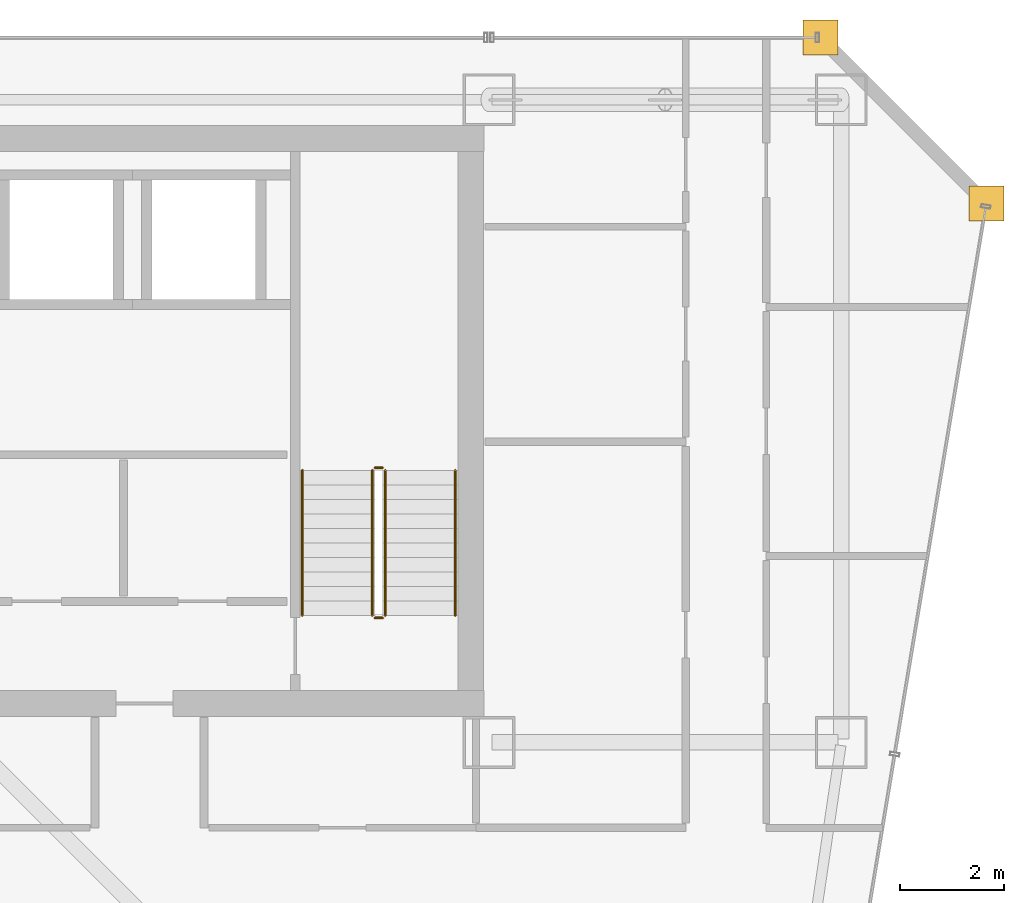
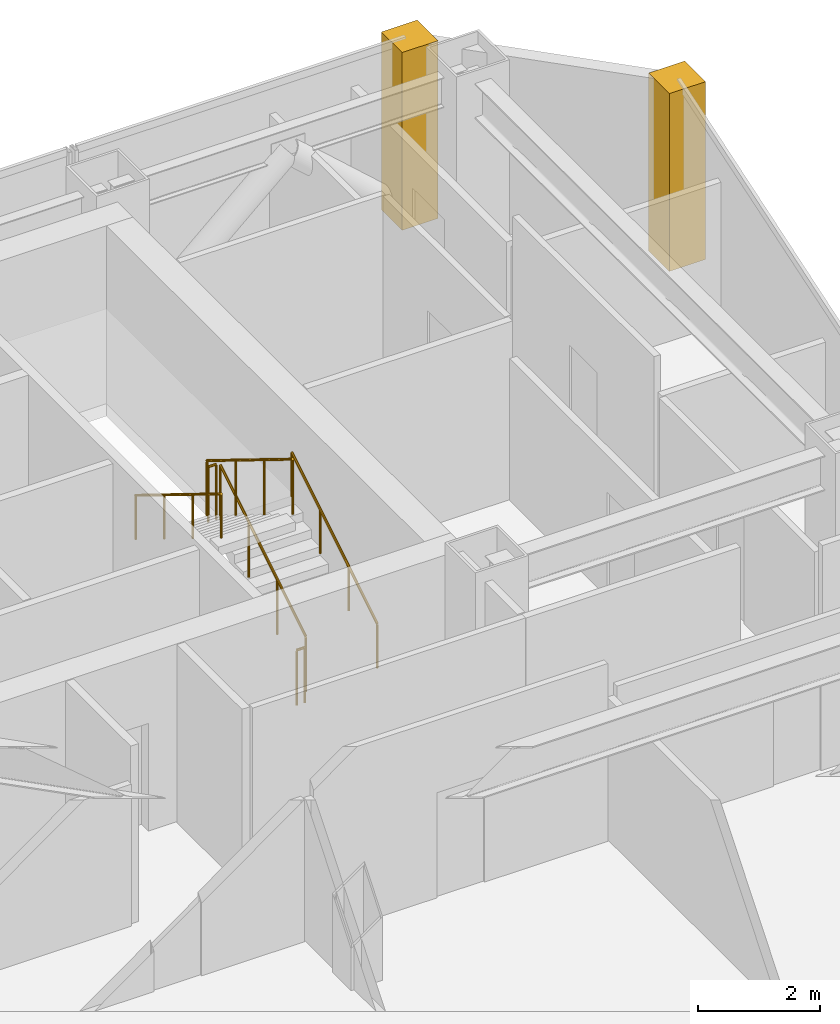
# One storey, part 38 of 38: 6 railings, 2 coverings.
"""IFC4 building model written with IfcOpenShell, lengths in metres."""

import ifcopenshell
import ifcopenshell.guid

model = None  # the IFC model being written
_history = None  # IfcOwnerHistory: only IFC2X3 demands one
_inside = {}  # id of a spatial element -> (the spatial element, [elements in it])
_under = {}  # id of a project, library or spatial element -> (it, [spatial elements below it])
_declared = {}  # id of a project -> (the project, [libraries it declares])
_typed = {}  # id of a type object -> (the type object, [elements of that type])
_made_of = {}  # id of a material, layer set ... -> (it, [elements and type objects made of it])


def new_model(schema):
    """Start an empty IFC model of exactly this schema.

    Asked for "IFC4X3", IfcOpenShell would pick the latest addendum, in which some entities
    have other attributes; the version numbers below select the first issue.
    IFC2X3 requires an IfcOwnerHistory on every rooted entity: one is made here for all.
    """
    global model, _history
    if schema == "IFC4X3":
        model = ifcopenshell.file(schema_version=(4, 3, 0, 0))
    else:
        model = ifcopenshell.file(schema=schema)
    _inside.clear()
    _under.clear()
    _declared.clear()
    _typed.clear()
    _made_of.clear()
    _history = None
    if model.schema == "IFC2X3":
        org = make("IfcOrganization", Name="unknown")
        user = make(
            "IfcPersonAndOrganization",
            ThePerson=make("IfcPerson", FamilyName="unknown"),
            TheOrganization=org,
        )
        app = make(
            "IfcApplication",
            ApplicationDeveloper=org,
            Version="unknown",
            ApplicationFullName="unknown",
            ApplicationIdentifier="unknown",
        )
        _history = make(
            "IfcOwnerHistory",
            OwningUser=user,
            OwningApplication=app,
            ChangeAction="ADDED",
            CreationDate=0,
        )
    return model


def make(cls, **values):
    """One entity of the class cls with the attributes given. An attribute that is None is left unset."""
    return model.create_entity(
        cls, **{name: value for name, value in values.items() if value is not None}
    )


def rooted(cls, **values):
    """An entity with a GlobalId (a new one), such as an element, a storey or a relation."""
    return make(cls, GlobalId=ifcopenshell.guid.new(), OwnerHistory=_history, **values)


def si_unit(unit_type, name, prefix=None):
    """IfcSIUnit, for example si_unit("LENGTHUNIT", "METRE", prefix="MILLI")."""
    return make("IfcSIUnit", UnitType=unit_type, Prefix=prefix, Name=name)


def assignment(units):
    """IfcUnitAssignment: the units of a project."""
    return None if units is None else make("IfcUnitAssignment", Units=units)


def point(xyz):
    """IfcCartesianPoint."""
    return None if xyz is None else make("IfcCartesianPoint", Coordinates=xyz)


def direction(xyz):
    """IfcDirection."""
    return None if xyz is None else make("IfcDirection", DirectionRatios=xyz)


def frame(location, z_axis=None, x_axis=None):
    """IfcAxis2Placement3D, a coordinate frame: its origin and axes. An axis left out is left unset."""
    return make(
        "IfcAxis2Placement3D",
        Location=point(location),
        Axis=direction(z_axis),
        RefDirection=direction(x_axis),
    )


def frame_2d(location, x_axis=None):
    """IfcAxis2Placement2D, a coordinate frame in the plane: its origin and x axis."""
    return make(
        "IfcAxis2Placement2D", Location=point(location), RefDirection=direction(x_axis)
    )


def origin():
    """The frame at (0, 0, 0) with its axes left unset."""
    return frame((0.0, 0.0, 0.0))


def origin_2d():
    """The frame at (0, 0) in the plane with its x axis left unset."""
    return frame_2d((0.0, 0.0))


def place(relative_to, where):
    """IfcLocalPlacement: puts the frame where relative to a parent placement (None: the world)."""
    return make(
        "IfcLocalPlacement", PlacementRelTo=relative_to, RelativePlacement=where
    )


def context(
    kind, dimensions, precision=None, world=None, true_north=None, identifier=None
):
    """IfcGeometricRepresentationContext, for example the 3D "Model" context."""
    return make(
        "IfcGeometricRepresentationContext",
        ContextIdentifier=identifier,
        ContextType=kind,
        CoordinateSpaceDimension=dimensions,
        Precision=precision,
        WorldCoordinateSystem=world,
        TrueNorth=true_north,
    )


def subcontext(parent, identifier, kind, view, scale=None):
    """IfcGeometricRepresentationSubContext, for example "Body" below "Model"."""
    return make(
        "IfcGeometricRepresentationSubContext",
        ContextIdentifier=identifier,
        ContextType=kind,
        ParentContext=parent,
        TargetScale=scale,
        TargetView=view,
    )


def project(units=None, contexts=None):
    """IfcProject with its units and contexts."""
    return rooted(
        "IfcProject",
        Name="project",
        RepresentationContexts=contexts,
        UnitsInContext=assignment(units),
    )


def spatial(cls, under=None, at=None, **own):
    """A site, building, storey or space (cls), placed at a placement, below another one or the project."""
    s = rooted(cls, ObjectPlacement=at, **own)
    if under is not None:
        _under.setdefault(under.id(), (under, []))[1].append(s)
    return s


def polyline(points):
    """IfcPolyline through the points."""
    return make("IfcPolyline", Points=[point(p) for p in points])


def profile(cls, at=None, kind="AREA", **sizes):
    """A parametric profile (cls). Its sizes go by their IFC names, for example OverallWidth=200.0."""
    return make(cls, ProfileType=kind, Position=at, **sizes)


def circle(**sizes):
    """IfcCircleProfileDef."""
    return profile("IfcCircleProfileDef", **sizes)


def outline(outer, holes=None, kind="AREA"):
    """IfcArbitraryClosedProfileDef: a profile drawn as a closed curve; with holes, ...WithVoids."""
    if holes is None:
        return make("IfcArbitraryClosedProfileDef", ProfileType=kind, OuterCurve=outer)
    return make(
        "IfcArbitraryProfileDefWithVoids",
        ProfileType=kind,
        OuterCurve=outer,
        InnerCurves=holes,
    )


def extrude(swept, where, along, depth):
    """IfcExtrudedAreaSolid: the profile swept, set in the frame where, extruded along a direction by depth."""
    return make(
        "IfcExtrudedAreaSolid",
        SweptArea=swept,
        Position=where,
        ExtrudedDirection=direction(along),
        Depth=depth,
    )


def shape(context_of_items, identifier, shape_type, items):
    """IfcShapeRepresentation: the items that make up one representation, for example the "Body"."""
    return make(
        "IfcShapeRepresentation",
        ContextOfItems=context_of_items,
        RepresentationIdentifier=identifier,
        RepresentationType=shape_type,
        Items=items,
    )


def material(Name=None, Category=None):
    """IfcMaterial."""
    return make("IfcMaterial", Name=Name, Category=Category)


def layer(
    of_material, thickness, ventilated=None, Name=None, Category=None, Priority=None
):
    """IfcMaterialLayer: one layer of a wall or slab, of a material (None: an air gap)."""
    return make(
        "IfcMaterialLayer",
        Material=of_material,
        LayerThickness=thickness,
        IsVentilated=ventilated,
        Name=Name,
        Category=Category,
        Priority=Priority,
    )


def layer_set(layers, Name=None):
    """IfcMaterialLayerSet."""
    return make("IfcMaterialLayerSet", MaterialLayers=layers, LayerSetName=Name)


def made_of(thing, what):
    """Note that an element or type object is made of a material, layer set ...; save() writes the relation."""
    if what is not None:
        _made_of.setdefault(what.id(), (what, []))[1].append(thing)
    return thing


def type_object(cls, material=None, **own):
    """A type object (cls), such as IfcWallType, which elements share."""
    return made_of(rooted(cls, **own), material)


def element(
    cls,
    number,
    at=None,
    inside=None,
    cuts=None,
    type_object=None,
    material=None,
    context=None,
    identifier="Body",
    shape_type=None,
    held_by="IfcProductDefinitionShape",
    body=None,
    shapes=None,
    **own,
):
    """One element of the class cls, such as IfcWall. Its Tag is "e" and its number.

    at: its placement. inside: the storey or other place that contains it. cuts: it is an
    opening in that element (IfcRelVoidsElement). A single representation is given by context,
    identifier, shape_type and body (its items); several are given by shapes. held_by: the class
    of the entity that holds the representations. save() writes the other relations.
    """
    e = rooted(cls, Tag="e%d" % number, ObjectPlacement=at, **own)
    if body is not None:
        shapes = [shape(context, identifier, shape_type, body)]
    if shapes is not None:
        e.Representation = make(held_by, Representations=shapes)
    if inside is not None:
        _inside.setdefault(inside.id(), (inside, []))[1].append(e)
    if cuts is not None:
        rooted(
            "IfcRelVoidsElement", RelatingBuildingElement=cuts, RelatedOpeningElement=e
        )
    if type_object is not None:
        _typed.setdefault(type_object.id(), (type_object, []))[1].append(e)
    return made_of(e, material)


def aggregate(whole, parts):
    """IfcRelAggregates: a whole, such as a stair, and the parts it consists of."""
    return rooted("IfcRelAggregates", RelatingObject=whole, RelatedObjects=parts)


def save(model, path):
    """Write the relations noted so far, then the file.

    IfcRelAggregates (storeys below a building ...), IfcRelContainedInSpatialStructure (elements
    in a storey), IfcRelDefinesByType, IfcRelAssociatesMaterial and IfcRelDeclares: one each for
    every whole, place, type object, material and project.
    """
    for whole, parts in _under.values():
        aggregate(whole, parts)
    for where, things in _inside.values():
        rooted(
            "IfcRelContainedInSpatialStructure",
            RelatedElements=things,
            RelatingStructure=where,
        )
    for kind, things in _typed.values():
        rooted("IfcRelDefinesByType", RelatedObjects=things, RelatingType=kind)
    for what, things in _made_of.values():
        rooted("IfcRelAssociatesMaterial", RelatedObjects=things, RelatingMaterial=what)
    for by, libraries in _declared.values():
        rooted("IfcRelDeclares", RelatingContext=by, RelatedDefinitions=libraries)
    model.write(path)


model = new_model("IFC4")

# Units and contexts
model_context = context("Model", 3, precision=1e-05, world=origin(), true_north=direction((0.0, 1.0)))
body_context = subcontext(model_context, "Body", "Model", "MODEL_VIEW")
ifc_project = project(units=[si_unit("LENGTHUNIT", "METRE"), si_unit("AREAUNIT", "SQUARE_METRE"), si_unit("VOLUMEUNIT", "CUBIC_METRE"), si_unit("PLANEANGLEUNIT", "RADIAN"), si_unit("MASSUNIT", "GRAM", prefix="KILO")], contexts=[model_context])

# Site, building, storey
site_placement = place(None, origin())
site = spatial("IfcSite", under=ifc_project, at=site_placement, CompositionType="ELEMENT")
building_placement = place(site_placement, origin())
building = spatial("IfcBuilding", under=site, at=building_placement, Name="Saevonmaru Cultural Tower", CompositionType="ELEMENT")
storey_placement = place(building_placement, frame((0.0, 0.0, 137.199951171875)))
storey = spatial("IfcBuildingStorey", under=building, at=storey_placement, Name="L29", CompositionType="ELEMENT", Elevation=137.199951171875)

# Coverings
ifc_material_1 = material(Name="Satin Bronze Anodised Aluminium", Category="aluminium")
ifc_layer = layer(ifc_material_1, 0.679931640625, Name="Satin Bronze Anodised Aluminium")
ifc_layer_set = layer_set([ifc_layer], Name="Satin Bronze Anodised Aluminium")
covering_type = type_object("IfcCoveringType", Name="CV-CORNER-CLAD", PredefinedType="CLADDING", material=ifc_layer_set)
covering_1_placement = place(storey_placement, origin())
element("IfcCovering", 1, at=covering_1_placement, inside=storey, type_object=covering_type, Name="L29 Tower Bronze Corner Cladding Pier 9", PredefinedType="CLADDING", context=body_context, shape_type="SweptSolid", body=[
    extrude(outline(polyline([(55.659912109375, 52.4599609375), (56.340087890625, 52.4599609375), (56.340087890625, 53.139892578125), (55.659912109375, 53.139892578125), (55.659912109375, 52.4599609375)])), origin(), (0.0, 0.0, 1.0), 3.550048828125),
])
covering_2_placement = place(storey_placement, origin())
element("IfcCovering", 2, at=covering_2_placement, inside=storey, type_object=covering_type, Name="L29 Tower Bronze Corner Cladding Pier 10", PredefinedType="CLADDING", context=body_context, shape_type="SweptSolid", body=[
    extrude(outline(polyline([(52.4599609375, 55.659912109375), (53.139892578125, 55.659912109375), (53.139892578125, 56.340087890625), (52.4599609375, 56.340087890625), (52.4599609375, 55.659912109375)])), origin(), (0.0, 0.0, 1.0), 3.550048828125),
])

# Railings
ifc_material_2 = material(Name="Architectural Painted Steel", Category="steel")
railing_type_1 = type_object("IfcRailingType", Name="RL-STAIR-GUARD", PredefinedType="GUARDRAIL", material=ifc_material_2)
railing_1_placement = place(storey_placement, frame((44.39990234375, 44.85009765625, 0.1728515625)))
element("IfcRailing", 3, at=railing_1_placement, inside=storey, type_object=railing_type_1, Name="L29 ST-2 stair guard 1", PredefinedType="GUARDRAIL", context=body_context, shape_type="SweptSolid", body=[
    extrude(circle(Radius=0.02392578125, at=origin_2d()), frame((0.0, 0.0, 1.09619140625), z_axis=(0.0, 0.851069175582, 0.525053576669), x_axis=(-1.0, 0.0, 0.0)), (0.0, 0.0, 1.0), 3.289794921875),
    extrude(circle(Radius=0.02099609375, at=origin_2d()), origin(), (0.0, 0.0, 1.0), 1.072021484375),
    extrude(circle(Radius=0.02099609375, at=origin_2d()), frame((0.0, 0.933349609375, 0.57568359375)), (0.0, 0.0, 1.0), 1.072021484375),
    extrude(circle(Radius=0.02099609375, at=origin_2d()), frame((0.0, 1.866455078125, 1.151611328125)), (0.0, 0.0, 1.0), 1.072021484375),
    extrude(circle(Radius=0.02099609375, at=origin_2d()), frame((0.0, 2.7998046875, 1.727294921875)), (0.0, 0.0, 1.0), 1.072021484375),
])
railing_2_placement = place(storey_placement, frame((44.35009765625, 47.699951171875, 1.900146484375)))
element("IfcRailing", 4, at=railing_2_placement, inside=storey, type_object=railing_type_1, Name="L29 ST-2 stair guard 2", PredefinedType="GUARDRAIL", context=body_context, shape_type="SweptSolid", body=[
    extrude(circle(Radius=0.02392578125, at=origin_2d()), frame((0.0, 0.0, 1.09619140625), z_axis=(-1.0, 0.0, 0.0), x_axis=(0.0, -1.0, 0.0)), (0.0, 0.0, 1.0), 0.150146484375),
    extrude(circle(Radius=0.02099609375, at=origin_2d()), origin(), (0.0, 0.0, 1.0), 1.072021484375),
    extrude(circle(Radius=0.02099609375, at=origin_2d()), frame((-0.150146484375, 0.0, 0.0)), (0.0, 0.0, 1.0), 1.072021484375),
])
railing_3_placement = place(storey_placement, frame((44.14990234375, 47.64990234375, 2.07275390625)))
element("IfcRailing", 5, at=railing_3_placement, inside=storey, type_object=railing_type_1, Name="L29 ST-2 stair guard 3", PredefinedType="GUARDRAIL", context=body_context, shape_type="SweptSolid", body=[
    extrude(circle(Radius=0.02392578125, at=origin_2d()), frame((0.0, 0.0, 1.09619140625), z_axis=(0.0, -0.851069175582, 0.525053576669), x_axis=(1.0, 0.0, 0.0)), (0.0, 0.0, 1.0), 3.289794921875),
    extrude(circle(Radius=0.02099609375, at=origin_2d()), origin(), (0.0, 0.0, 1.0), 1.072021484375),
    extrude(circle(Radius=0.02099609375, at=origin_2d()), frame((0.0, -0.933349609375, 0.57568359375)), (0.0, 0.0, 1.0), 1.072021484375),
    extrude(circle(Radius=0.02099609375, at=origin_2d()), frame((0.0, -1.866455078125, 1.151611328125)), (0.0, 0.0, 1.0), 1.072021484375),
    extrude(circle(Radius=0.02099609375, at=origin_2d()), frame((0.0, -2.7998046875, 1.727294921875)), (0.0, 0.0, 1.0), 1.072021484375),
])
railing_4_placement = place(storey_placement, frame((44.35009765625, 44.800048828125, 0.0)))
element("IfcRailing", 6, at=railing_4_placement, inside=storey, type_object=railing_type_1, Name="L29 ST-2 stair guard 4", PredefinedType="GUARDRAIL", context=body_context, shape_type="SweptSolid", body=[
    extrude(circle(Radius=0.02392578125, at=origin_2d()), frame((0.0, 0.0, 1.09619140625), z_axis=(-1.0, 0.0, 0.0), x_axis=(0.0, -1.0, 0.0)), (0.0, 0.0, 1.0), 0.150146484375),
    extrude(circle(Radius=0.02099609375, at=origin_2d()), origin(), (0.0, 0.0, 1.0), 1.072021484375),
    extrude(circle(Radius=0.02099609375, at=origin_2d()), frame((-0.150146484375, 0.0, 0.0)), (0.0, 0.0, 1.0), 1.072021484375),
])
railing_type_2 = type_object("IfcRailingType", Name="RL-STAIR-HANDRAIL", PredefinedType="HANDRAIL", material=ifc_material_1)
railing_5_placement = place(storey_placement, frame((45.75, 44.85009765625, 0.1728515625)))
element("IfcRailing", 7, at=railing_5_placement, inside=storey, type_object=railing_type_2, Name="L29 ST-2 stair handrail 1", PredefinedType="HANDRAIL", context=body_context, shape_type="SweptSolid", body=[
    extrude(circle(Radius=0.02392578125, at=origin_2d()), frame((0.0, 0.0, 0.8759765625), z_axis=(0.0, 0.851069175582, 0.525053576669), x_axis=(-1.0, 0.0, 0.0)), (0.0, 0.0, 1.0), 3.289794921875),
    extrude(circle(Radius=0.02099609375, at=origin_2d()), origin(), (0.0, 0.0, 1.0), 0.851806640625),
    extrude(circle(Radius=0.02099609375, at=origin_2d()), frame((0.0, 0.933349609375, 0.57568359375)), (0.0, 0.0, 1.0), 0.851806640625),
    extrude(circle(Radius=0.02099609375, at=origin_2d()), frame((0.0, 1.866455078125, 1.151611328125)), (0.0, 0.0, 1.0), 0.851806640625),
    extrude(circle(Radius=0.02099609375, at=origin_2d()), frame((0.0, 2.7998046875, 1.727294921875)), (0.0, 0.0, 1.0), 0.851806640625),
])
railing_6_placement = place(storey_placement, frame((42.800048828125, 47.64990234375, 2.07275390625)))
element("IfcRailing", 8, at=railing_6_placement, inside=storey, type_object=railing_type_2, Name="L29 ST-2 stair handrail 2", PredefinedType="HANDRAIL", context=body_context, shape_type="SweptSolid", body=[
    extrude(circle(Radius=0.02392578125, at=origin_2d()), frame((0.0, 0.0, 0.8759765625), z_axis=(0.0, -0.851069175582, 0.525053576669), x_axis=(1.0, 0.0, 0.0)), (0.0, 0.0, 1.0), 3.289794921875),
    extrude(circle(Radius=0.02099609375, at=origin_2d()), origin(), (0.0, 0.0, 1.0), 0.851806640625),
    extrude(circle(Radius=0.02099609375, at=origin_2d()), frame((0.0, -0.933349609375, 0.57568359375)), (0.0, 0.0, 1.0), 0.851806640625),
    extrude(circle(Radius=0.02099609375, at=origin_2d()), frame((0.0, -1.866455078125, 1.151611328125)), (0.0, 0.0, 1.0), 0.851806640625),
    extrude(circle(Radius=0.02099609375, at=origin_2d()), frame((0.0, -2.7998046875, 1.727294921875)), (0.0, 0.0, 1.0), 0.851806640625),
])

save(model, "model.ifc")
